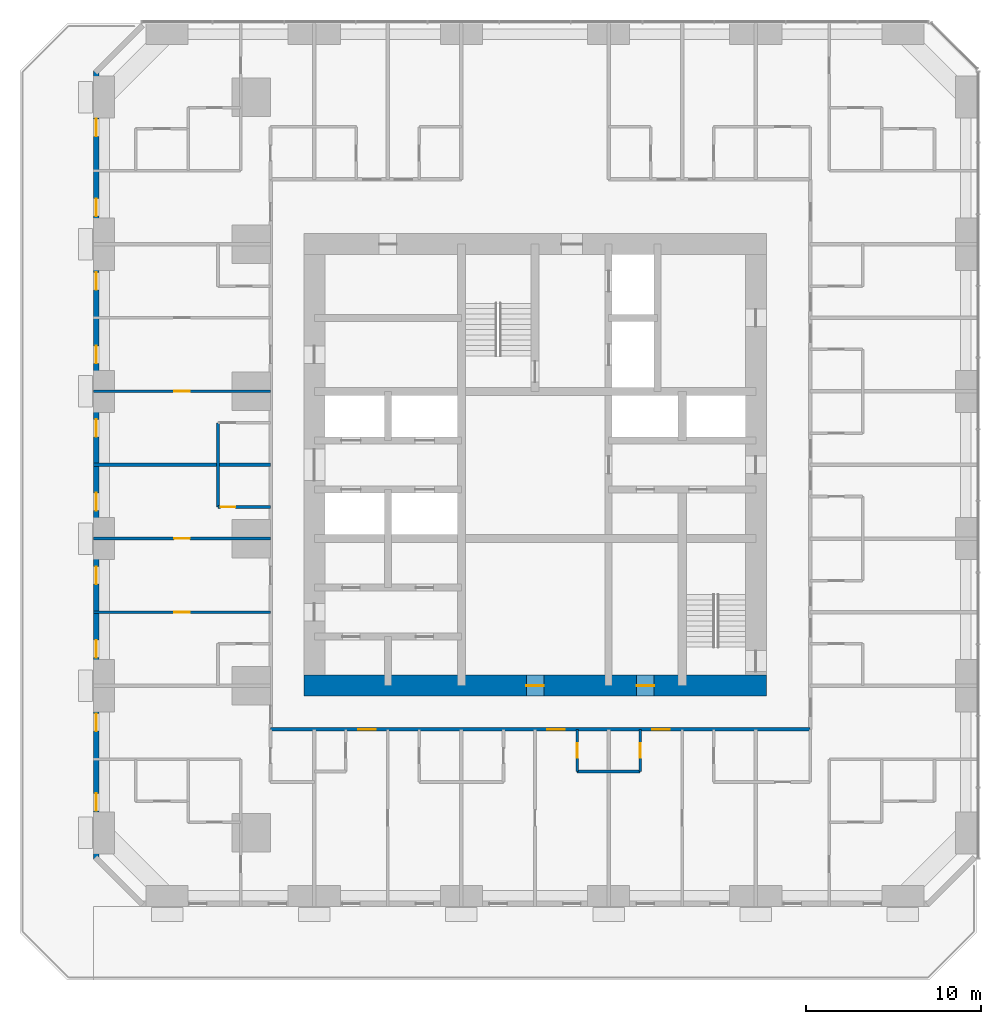
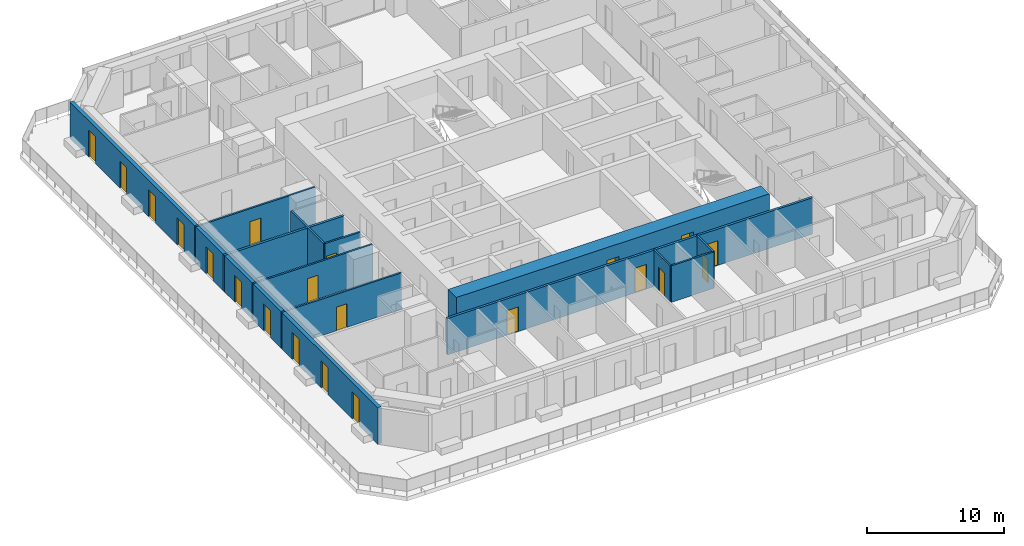
# One storey, part 7 of 14: 21 doors, 12 walls, 21 openings.
"""IFC4 building model written with IfcOpenShell, lengths in metres."""

import ifcopenshell
import ifcopenshell.guid

model = None  # the IFC model being written
_history = None  # IfcOwnerHistory: only IFC2X3 demands one
_inside = {}  # id of a spatial element -> (the spatial element, [elements in it])
_under = {}  # id of a project, library or spatial element -> (it, [spatial elements below it])
_declared = {}  # id of a project -> (the project, [libraries it declares])
_typed = {}  # id of a type object -> (the type object, [elements of that type])
_made_of = {}  # id of a material, layer set ... -> (it, [elements and type objects made of it])


def new_model(schema):
    """Start an empty IFC model of exactly this schema.

    Asked for "IFC4X3", IfcOpenShell would pick the latest addendum, in which some entities
    have other attributes; the version numbers below select the first issue.
    IFC2X3 requires an IfcOwnerHistory on every rooted entity: one is made here for all.
    """
    global model, _history
    if schema == "IFC4X3":
        model = ifcopenshell.file(schema_version=(4, 3, 0, 0))
    else:
        model = ifcopenshell.file(schema=schema)
    _inside.clear()
    _under.clear()
    _declared.clear()
    _typed.clear()
    _made_of.clear()
    _history = None
    if model.schema == "IFC2X3":
        org = make("IfcOrganization", Name="unknown")
        user = make(
            "IfcPersonAndOrganization",
            ThePerson=make("IfcPerson", FamilyName="unknown"),
            TheOrganization=org,
        )
        app = make(
            "IfcApplication",
            ApplicationDeveloper=org,
            Version="unknown",
            ApplicationFullName="unknown",
            ApplicationIdentifier="unknown",
        )
        _history = make(
            "IfcOwnerHistory",
            OwningUser=user,
            OwningApplication=app,
            ChangeAction="ADDED",
            CreationDate=0,
        )
    return model


def make(cls, **values):
    """One entity of the class cls with the attributes given. An attribute that is None is left unset."""
    return model.create_entity(
        cls, **{name: value for name, value in values.items() if value is not None}
    )


def rooted(cls, **values):
    """An entity with a GlobalId (a new one), such as an element, a storey or a relation."""
    return make(cls, GlobalId=ifcopenshell.guid.new(), OwnerHistory=_history, **values)


def si_unit(unit_type, name, prefix=None):
    """IfcSIUnit, for example si_unit("LENGTHUNIT", "METRE", prefix="MILLI")."""
    return make("IfcSIUnit", UnitType=unit_type, Prefix=prefix, Name=name)


def assignment(units):
    """IfcUnitAssignment: the units of a project."""
    return None if units is None else make("IfcUnitAssignment", Units=units)


def point(xyz):
    """IfcCartesianPoint."""
    return None if xyz is None else make("IfcCartesianPoint", Coordinates=xyz)


def direction(xyz):
    """IfcDirection."""
    return None if xyz is None else make("IfcDirection", DirectionRatios=xyz)


def frame(location, z_axis=None, x_axis=None):
    """IfcAxis2Placement3D, a coordinate frame: its origin and axes. An axis left out is left unset."""
    return make(
        "IfcAxis2Placement3D",
        Location=point(location),
        Axis=direction(z_axis),
        RefDirection=direction(x_axis),
    )


def frame_2d(location, x_axis=None):
    """IfcAxis2Placement2D, a coordinate frame in the plane: its origin and x axis."""
    return make(
        "IfcAxis2Placement2D", Location=point(location), RefDirection=direction(x_axis)
    )


def origin():
    """The frame at (0, 0, 0) with its axes left unset."""
    return frame((0.0, 0.0, 0.0))


def place(relative_to, where):
    """IfcLocalPlacement: puts the frame where relative to a parent placement (None: the world)."""
    return make(
        "IfcLocalPlacement", PlacementRelTo=relative_to, RelativePlacement=where
    )


def context(
    kind, dimensions, precision=None, world=None, true_north=None, identifier=None
):
    """IfcGeometricRepresentationContext, for example the 3D "Model" context."""
    return make(
        "IfcGeometricRepresentationContext",
        ContextIdentifier=identifier,
        ContextType=kind,
        CoordinateSpaceDimension=dimensions,
        Precision=precision,
        WorldCoordinateSystem=world,
        TrueNorth=true_north,
    )


def subcontext(parent, identifier, kind, view, scale=None):
    """IfcGeometricRepresentationSubContext, for example "Body" below "Model"."""
    return make(
        "IfcGeometricRepresentationSubContext",
        ContextIdentifier=identifier,
        ContextType=kind,
        ParentContext=parent,
        TargetScale=scale,
        TargetView=view,
    )


def project(units=None, contexts=None):
    """IfcProject with its units and contexts."""
    return rooted(
        "IfcProject",
        Name="project",
        RepresentationContexts=contexts,
        UnitsInContext=assignment(units),
    )


def spatial(cls, under=None, at=None, **own):
    """A site, building, storey or space (cls), placed at a placement, below another one or the project."""
    s = rooted(cls, ObjectPlacement=at, **own)
    if under is not None:
        _under.setdefault(under.id(), (under, []))[1].append(s)
    return s


def profile(cls, at=None, kind="AREA", **sizes):
    """A parametric profile (cls). Its sizes go by their IFC names, for example OverallWidth=200.0."""
    return make(cls, ProfileType=kind, Position=at, **sizes)


def rectangle(**sizes):
    """IfcRectangleProfileDef."""
    return profile("IfcRectangleProfileDef", **sizes)


def extrude(swept, where, along, depth):
    """IfcExtrudedAreaSolid: the profile swept, set in the frame where, extruded along a direction by depth."""
    return make(
        "IfcExtrudedAreaSolid",
        SweptArea=swept,
        Position=where,
        ExtrudedDirection=direction(along),
        Depth=depth,
    )


def shape(context_of_items, identifier, shape_type, items):
    """IfcShapeRepresentation: the items that make up one representation, for example the "Body"."""
    return make(
        "IfcShapeRepresentation",
        ContextOfItems=context_of_items,
        RepresentationIdentifier=identifier,
        RepresentationType=shape_type,
        Items=items,
    )


def material(Name=None, Category=None):
    """IfcMaterial."""
    return make("IfcMaterial", Name=Name, Category=Category)


def layer(
    of_material, thickness, ventilated=None, Name=None, Category=None, Priority=None
):
    """IfcMaterialLayer: one layer of a wall or slab, of a material (None: an air gap)."""
    return make(
        "IfcMaterialLayer",
        Material=of_material,
        LayerThickness=thickness,
        IsVentilated=ventilated,
        Name=Name,
        Category=Category,
        Priority=Priority,
    )


def layer_set(layers, Name=None):
    """IfcMaterialLayerSet."""
    return make("IfcMaterialLayerSet", MaterialLayers=layers, LayerSetName=Name)


def made_of(thing, what):
    """Note that an element or type object is made of a material, layer set ...; save() writes the relation."""
    if what is not None:
        _made_of.setdefault(what.id(), (what, []))[1].append(thing)
    return thing


def type_object(cls, material=None, **own):
    """A type object (cls), such as IfcWallType, which elements share."""
    return made_of(rooted(cls, **own), material)


def element(
    cls,
    number,
    at=None,
    inside=None,
    cuts=None,
    type_object=None,
    material=None,
    context=None,
    identifier="Body",
    shape_type=None,
    held_by="IfcProductDefinitionShape",
    body=None,
    shapes=None,
    **own,
):
    """One element of the class cls, such as IfcWall. Its Tag is "e" and its number.

    at: its placement. inside: the storey or other place that contains it. cuts: it is an
    opening in that element (IfcRelVoidsElement). A single representation is given by context,
    identifier, shape_type and body (its items); several are given by shapes. held_by: the class
    of the entity that holds the representations. save() writes the other relations.
    """
    e = rooted(cls, Tag="e%d" % number, ObjectPlacement=at, **own)
    if body is not None:
        shapes = [shape(context, identifier, shape_type, body)]
    if shapes is not None:
        e.Representation = make(held_by, Representations=shapes)
    if inside is not None:
        _inside.setdefault(inside.id(), (inside, []))[1].append(e)
    if cuts is not None:
        rooted(
            "IfcRelVoidsElement", RelatingBuildingElement=cuts, RelatedOpeningElement=e
        )
    if type_object is not None:
        _typed.setdefault(type_object.id(), (type_object, []))[1].append(e)
    return made_of(e, material)


def fill(opening, filler):
    """IfcRelFillsElement: the door or window that sits in an opening."""
    return rooted(
        "IfcRelFillsElement",
        RelatingOpeningElement=opening,
        RelatedBuildingElement=filler,
    )


def aggregate(whole, parts):
    """IfcRelAggregates: a whole, such as a stair, and the parts it consists of."""
    return rooted("IfcRelAggregates", RelatingObject=whole, RelatedObjects=parts)


def save(model, path):
    """Write the relations noted so far, then the file.

    IfcRelAggregates (storeys below a building ...), IfcRelContainedInSpatialStructure (elements
    in a storey), IfcRelDefinesByType, IfcRelAssociatesMaterial and IfcRelDeclares: one each for
    every whole, place, type object, material and project.
    """
    for whole, parts in _under.values():
        aggregate(whole, parts)
    for where, things in _inside.values():
        rooted(
            "IfcRelContainedInSpatialStructure",
            RelatedElements=things,
            RelatingStructure=where,
        )
    for kind, things in _typed.values():
        rooted("IfcRelDefinesByType", RelatedObjects=things, RelatingType=kind)
    for what, things in _made_of.values():
        rooted("IfcRelAssociatesMaterial", RelatedObjects=things, RelatingMaterial=what)
    for by, libraries in _declared.values():
        rooted("IfcRelDeclares", RelatingContext=by, RelatedDefinitions=libraries)
    model.write(path)


model = new_model("IFC4")

# Units and contexts
model_context = context("Model", 3, precision=1e-05, world=origin(), true_north=direction((0.0, 1.0)))
body_context = subcontext(model_context, "Body", "Model", "MODEL_VIEW")
ifc_project = project(units=[si_unit("LENGTHUNIT", "METRE"), si_unit("AREAUNIT", "SQUARE_METRE"), si_unit("VOLUMEUNIT", "CUBIC_METRE"), si_unit("PLANEANGLEUNIT", "RADIAN"), si_unit("MASSUNIT", "GRAM", prefix="KILO")], contexts=[model_context])

# Site, building, storey
site_placement = place(None, origin())
site = spatial("IfcSite", under=ifc_project, at=site_placement, CompositionType="ELEMENT")
building_placement = place(site_placement, origin())
building = spatial("IfcBuilding", under=site, at=building_placement, Name="Dunama Terrace Hotel", CompositionType="ELEMENT")
storey_placement = place(building_placement, frame((0.0, 0.0, 159.0)))
storey = spatial("IfcBuildingStorey", under=building, at=storey_placement, Name="L40", CompositionType="ELEMENT", Elevation=159.0)

# Wall
ifc_material_1 = material(Name="Gypsum board partition", Category="masonry")
ifc_layer_1 = layer(ifc_material_1, 0.14990234375)
ifc_layer_set_1 = layer_set([ifc_layer_1], Name="Bathroom partition 150")
wall_type_1 = type_object("IfcWallType", Name="Bathroom partition 150", PredefinedType="PARTITIONING", material=ifc_layer_set_1)
wall_1_placement = place(storey_placement, frame((11.300048828125, 27.0, 0.0), z_axis=(0.0, 0.0, 1.0), x_axis=(0.0, 1.0, 0.0)))
element("IfcWall", 1, at=wall_1_placement, inside=storey, type_object=wall_type_1, Name="Bathroom partition 150 L40", PredefinedType="PARTITIONING", context=body_context, shape_type="SweptSolid", body=[
    extrude(rectangle(XDim=4.800048828125, YDim=0.14990234375, at=frame_2d((2.39990234375, 0.0))), origin(), (0.0, 0.0, 1.0), 3.25),
])

# Wall, opening, door
wall_2_placement = place(storey_placement, frame((31.800048828125, 11.89990234375, 0.0), z_axis=(0.0, 0.0, 1.0), x_axis=(0.0, 1.0, 0.0)))
wall_2 = element("IfcWall", 2, at=wall_2_placement, inside=storey, type_object=wall_type_1, Name="Bathroom partition 150 L40", PredefinedType="PARTITIONING", context=body_context, shape_type="SweptSolid", body=[
    extrude(rectangle(XDim=2.400146484375, YDim=0.14990234375, at=frame_2d((1.2001953125, 0.0))), origin(), (0.0, 0.0, 1.0), 3.25),
])
opening_1_placement = place(wall_2_placement, frame((0.77490234375, 0.0, 0.0)))
opening_1 = element("IfcOpeningElement", 3, at=opening_1_placement, cuts=wall_2, Name="Opening L40-034", PredefinedType="OPENING", context=body_context, shape_type="SweptSolid", body=[
    extrude(rectangle(XDim=0.85009765625, YDim=2.10009765625, at=frame_2d((0.425048828125, 1.050048828125))), frame((0.0, 0.0849609375, 0.0), z_axis=(0.0, -1.0, 0.0), x_axis=(1.0, 0.0, 0.0)), (0.0, 0.0, 1.0), 0.169921875),
])
ifc_material_2 = material(Name="Timber door with steel frame", Category="steel")
door_type_1 = type_object("IfcDoorType", Name="Bathroom door 850", OperationType="SINGLE_SWING_LEFT", PredefinedType="DOOR", material=ifc_material_2)
door_1_placement = place(opening_1_placement, frame((0.85009765625, 0.0, 0.0), z_axis=(0.0, 0.0, 1.0), x_axis=(-1.0, 0.0, 0.0)))
door_1 = element("IfcDoor", 4, at=door_1_placement, inside=storey, type_object=door_type_1, Name="Door to powder room L40-034, type D2", OperationType="SINGLE_SWING_LEFT", OverallHeight=2.10009765625, OverallWidth=0.85009765625, PredefinedType="DOOR", context=body_context, shape_type="SweptSolid", body=[
    extrude(rectangle(XDim=0.85009765625, YDim=2.10009765625, at=frame_2d((0.425048828125, 1.050048828125))), frame((0.0, 0.025146484375, 0.0), z_axis=(0.0, -1.0, 0.0), x_axis=(1.0, 0.0, 0.0)), (0.0, 0.0, 1.0), 0.050048828125),
])
fill(opening_1, door_1)

wall_3_placement = place(storey_placement, frame((35.39990234375, 11.89990234375, 0.0), z_axis=(0.0, 0.0, 1.0), x_axis=(0.0, 1.0, 0.0)))
wall_3 = element("IfcWall", 5, at=wall_3_placement, inside=storey, type_object=wall_type_1, Name="Bathroom partition 150 L40", PredefinedType="PARTITIONING", context=body_context, shape_type="SweptSolid", body=[
    extrude(rectangle(XDim=2.400146484375, YDim=0.14990234375, at=frame_2d((1.2001953125, 0.0))), origin(), (0.0, 0.0, 1.0), 3.25),
])
opening_2_placement = place(wall_3_placement, frame((0.77490234375, 0.0, 0.0)))
opening_2 = element("IfcOpeningElement", 6, at=opening_2_placement, cuts=wall_3, Name="Opening L40-038", PredefinedType="OPENING", context=body_context, shape_type="SweptSolid", body=[
    extrude(rectangle(XDim=0.85009765625, YDim=2.10009765625, at=frame_2d((0.425048828125, 1.050048828125))), frame((0.0, 0.0849609375, 0.0), z_axis=(0.0, -1.0, 0.0), x_axis=(1.0, 0.0, 0.0)), (0.0, 0.0, 1.0), 0.169921875),
])
door_2_placement = place(opening_2_placement, origin())
door_2 = element("IfcDoor", 7, at=door_2_placement, inside=storey, type_object=door_type_1, Name="Door to powder room L40-038, type D2", OperationType="SINGLE_SWING_RIGHT", OverallHeight=2.10009765625, OverallWidth=0.85009765625, PredefinedType="DOOR", context=body_context, shape_type="SweptSolid", body=[
    extrude(rectangle(XDim=0.85009765625, YDim=2.10009765625, at=frame_2d((0.425048828125, 1.050048828125))), frame((0.0, 0.02490234375, 0.0), z_axis=(0.0, -1.0, 0.0), x_axis=(1.0, 0.0, 0.0)), (0.0, 0.0, 1.0), 0.050048828125),
])
fill(opening_2, door_2)

# Wall
wall_4_placement = place(storey_placement, frame((31.800048828125, 11.89990234375, 0.0), z_axis=(0.0, 0.0, 1.0), x_axis=(1.0, 0.0, 0.0)))
element("IfcWall", 8, at=wall_4_placement, inside=storey, type_object=wall_type_1, Name="Bathroom partition 150 L40", PredefinedType="PARTITIONING", context=body_context, shape_type="SweptSolid", body=[
    extrude(rectangle(XDim=3.599853515625, YDim=0.14990234375, at=frame_2d((1.7998046875, 0.0))), origin(), (0.0, 0.0, 1.0), 3.25),
])

# Wall, opening, door
wall_5_placement = place(storey_placement, frame((11.300048828125, 27.0, 0.0), z_axis=(0.0, 0.0, 1.0), x_axis=(1.0, 0.0, 0.0)))
wall_5 = element("IfcWall", 9, at=wall_5_placement, inside=storey, type_object=wall_type_1, Name="Bathroom partition 150 L40", PredefinedType="PARTITIONING", context=body_context, shape_type="SweptSolid", body=[
    extrude(rectangle(XDim=3.0, YDim=0.14990234375, at=frame_2d((1.5, 0.0))), origin(), (0.0, 0.0, 1.0), 3.25),
])
opening_3_placement = place(wall_5_placement, frame((0.14990234375, 0.0, 0.0)))
opening_3 = element("IfcOpeningElement", 10, at=opening_3_placement, cuts=wall_5, Name="Opening L40-065", PredefinedType="OPENING", context=body_context, shape_type="SweptSolid", body=[
    extrude(rectangle(XDim=0.85009765625, YDim=2.10009765625, at=frame_2d((0.425048828125, 1.050048828125))), frame((0.0, 0.0849609375, 0.0), z_axis=(0.0, -1.0, 0.0), x_axis=(1.0, 0.0, 0.0)), (0.0, 0.0, 1.0), 0.169921875),
])
door_3_placement = place(opening_3_placement, origin())
door_3 = element("IfcDoor", 11, at=door_3_placement, inside=storey, type_object=door_type_1, Name="Door to en-suite bathroom L40-065, type D2", OperationType="SINGLE_SWING_LEFT", OverallHeight=2.10009765625, OverallWidth=0.85009765625, PredefinedType="DOOR", context=body_context, shape_type="SweptSolid", body=[
    extrude(rectangle(XDim=0.85009765625, YDim=2.10009765625, at=frame_2d((0.425048828125, 1.050048828125))), frame((0.0, 0.02490234375, 0.0), z_axis=(0.0, -1.0, 0.0), x_axis=(1.0, 0.0, 0.0)), (0.0, 0.0, 1.0), 0.050048828125),
])
fill(opening_3, door_3)

# Wall, openings, doors
ifc_material_3 = material(Name="Concrete C60/75", Category="concrete")
ifc_layer_2 = layer(ifc_material_3, 1.199951171875)
ifc_layer_set_2 = layer_set([ifc_layer_2], Name="Core wall 1200")
wall_type_2 = type_object("IfcWallType", Name="Core wall 1200", PredefinedType="SHEAR", material=ifc_layer_set_2)
wall_6_placement = place(storey_placement, frame((16.199951171875, 16.800048828125, -0.35009765625), z_axis=(0.0, 0.0, 1.0), x_axis=(1.0, 0.0, 0.0)))
wall_6 = element("IfcWall", 12, at=wall_6_placement, inside=storey, type_object=wall_type_2, Name="Core wall south L40", PredefinedType="SHEAR", context=body_context, shape_type="SweptSolid", body=[
    extrude(rectangle(XDim=26.400146484375, YDim=1.199951171875, at=frame_2d((13.2001953125, 0.0))), origin(), (0.0, 0.0, 1.0), 3.60009765625),
])
opening_4_placement = place(wall_6_placement, frame((12.699951171875, 0.0, 0.35009765625)))
opening_4 = element("IfcOpeningElement", 13, at=opening_4_placement, cuts=wall_6, Name="Opening L40-105", PredefinedType="OPENING", context=body_context, shape_type="SweptSolid", body=[
    extrude(rectangle(XDim=1.0, YDim=2.10009765625, at=frame_2d((0.5, 1.050048828125))), frame((0.0, 0.60986328125, 0.0), z_axis=(0.0, -1.0, 0.0), x_axis=(1.0, 0.0, 0.0)), (0.0, 0.0, 1.0), 1.219970703125),
])
opening_5_placement = place(wall_6_placement, frame((19.0, 0.0, 0.35009765625)))
opening_5 = element("IfcOpeningElement", 14, at=opening_5_placement, cuts=wall_6, Name="Opening L40-106", PredefinedType="OPENING", context=body_context, shape_type="SweptSolid", body=[
    extrude(rectangle(XDim=1.0, YDim=2.10009765625, at=frame_2d((0.5, 1.050048828125))), frame((0.0, 0.60986328125, 0.0), z_axis=(0.0, -1.0, 0.0), x_axis=(1.0, 0.0, 0.0)), (0.0, 0.0, 1.0), 1.219970703125),
])
ifc_material_4 = material(Name="Timber door with steel frame", Category="steel")
door_type_2 = type_object("IfcDoorType", Name="Service door 1000", OperationType="SINGLE_SWING_LEFT", PredefinedType="DOOR", material=ifc_material_4)
door_4_placement = place(opening_4_placement, origin())
door_4 = element("IfcDoor", 15, at=door_4_placement, inside=storey, type_object=door_type_2, Name="Door to corridor air handling room L40-105, type D7", OperationType="SINGLE_SWING_LEFT", OverallHeight=2.10009765625, OverallWidth=1.0, PredefinedType="DOOR", context=body_context, shape_type="SweptSolid", body=[
    extrude(rectangle(XDim=1.0, YDim=2.10009765625, at=frame_2d((0.5, 1.050048828125))), frame((0.0, 0.02490234375, 0.0), z_axis=(0.0, -1.0, 0.0), x_axis=(1.0, 0.0, 0.0)), (0.0, 0.0, 1.0), 0.050048828125),
])
fill(opening_4, door_4)
door_5_placement = place(opening_5_placement, origin())
door_5 = element("IfcDoor", 16, at=door_5_placement, inside=storey, type_object=door_type_2, Name="Door to water riser room L40-106, type D7", OperationType="SINGLE_SWING_RIGHT", OverallHeight=2.10009765625, OverallWidth=1.0, PredefinedType="DOOR", context=body_context, shape_type="SweptSolid", body=[
    extrude(rectangle(XDim=1.0, YDim=2.10009765625, at=frame_2d((0.5, 1.050048828125))), frame((0.0, 0.02490234375, 0.0), z_axis=(0.0, -1.0, 0.0), x_axis=(1.0, 0.0, 0.0)), (0.0, 0.0, 1.0), 0.050048828125),
])
fill(opening_5, door_5)

ifc_material_5 = material(Name="Concrete blockwork", Category="masonry")
ifc_layer_3 = layer(ifc_material_5, 0.199951171875)
ifc_layer_set_3 = layer_set([ifc_layer_3], Name="Corridor partition 200")
wall_type_3 = type_object("IfcWallType", Name="Corridor partition 200", PredefinedType="PARTITIONING", material=ifc_layer_set_3)
wall_7_placement = place(storey_placement, frame((45.10009765625, 14.300048828125, 0.0), z_axis=(0.0, 0.0, 1.0), x_axis=(-1.0, 0.0, 0.0)))
wall_7 = element("IfcWall", 17, at=wall_7_placement, inside=storey, type_object=wall_type_3, Name="Corridor partition 200 L40", PredefinedType="PARTITIONING", context=body_context, shape_type="SweptSolid", body=[
    extrude(rectangle(XDim=30.800048828125, YDim=0.199951171875, at=frame_2d((15.39990234375, 0.0))), origin(), (0.0, 0.0, 1.0), 3.25),
])
opening_6_placement = place(wall_7_placement, frame((24.800048828125, 0.0, 0.0)))
opening_6 = element("IfcOpeningElement", 18, at=opening_6_placement, cuts=wall_7, Name="Opening L40-029", PredefinedType="OPENING", context=body_context, shape_type="SweptSolid", body=[
    extrude(rectangle(XDim=1.0, YDim=2.199951171875, at=frame_2d((0.5, 1.10009765625))), frame((0.0, 0.10986328125, 0.0), z_axis=(0.0, -1.0, 0.0), x_axis=(1.0, 0.0, 0.0)), (0.0, 0.0, 1.0), 0.219970703125),
])
opening_7_placement = place(wall_7_placement, frame((14.0, 0.0, 0.0)))
opening_7 = element("IfcOpeningElement", 19, at=opening_7_placement, cuts=wall_7, Name="Opening L40-033", PredefinedType="OPENING", context=body_context, shape_type="SweptSolid", body=[
    extrude(rectangle(XDim=1.0, YDim=2.199951171875, at=frame_2d((0.5, 1.10009765625))), frame((0.0, 0.10986328125, 0.0), z_axis=(0.0, -1.0, 0.0), x_axis=(1.0, 0.0, 0.0)), (0.0, 0.0, 1.0), 0.219970703125),
])
opening_8_placement = place(wall_7_placement, frame((8.0, 0.0, 0.0)))
opening_8 = element("IfcOpeningElement", 20, at=opening_8_placement, cuts=wall_7, Name="Opening L40-037", PredefinedType="OPENING", context=body_context, shape_type="SweptSolid", body=[
    extrude(rectangle(XDim=1.0, YDim=2.199951171875, at=frame_2d((0.5, 1.10009765625))), frame((0.0, 0.10986328125, 0.0), z_axis=(0.0, -1.0, 0.0), x_axis=(1.0, 0.0, 0.0)), (0.0, 0.0, 1.0), 0.219970703125),
])
ifc_material_6 = material(Name="Timber door with steel frame", Category="steel")
door_type_3 = type_object("IfcDoorType", Name="Guest room door 1000", OperationType="SINGLE_SWING_LEFT", PredefinedType="DOOR", material=ifc_material_6)
door_6_placement = place(opening_6_placement, origin())
door_6 = element("IfcDoor", 21, at=door_6_placement, inside=storey, type_object=door_type_3, Name="Door to executive club suite living room L40-029, type D1", OperationType="SINGLE_SWING_LEFT", OverallHeight=2.199951171875, OverallWidth=1.0, PredefinedType="DOOR", context=body_context, shape_type="SweptSolid", body=[
    extrude(rectangle(XDim=1.0, YDim=2.199951171875, at=frame_2d((0.5, 1.10009765625))), frame((0.0, 0.02490234375, 0.0), z_axis=(0.0, -1.0, 0.0), x_axis=(1.0, 0.0, 0.0)), (0.0, 0.0, 1.0), 0.050048828125),
])
fill(opening_6, door_6)
door_7_placement = place(opening_7_placement, origin())
door_7 = element("IfcDoor", 22, at=door_7_placement, inside=storey, type_object=door_type_3, Name="Door to executive club suite living room L40-033, type D1", OperationType="SINGLE_SWING_LEFT", OverallHeight=2.199951171875, OverallWidth=1.0, PredefinedType="DOOR", context=body_context, shape_type="SweptSolid", body=[
    extrude(rectangle(XDim=1.0, YDim=2.199951171875, at=frame_2d((0.5, 1.10009765625))), frame((0.0, 0.02490234375, 0.0), z_axis=(0.0, -1.0, 0.0), x_axis=(1.0, 0.0, 0.0)), (0.0, 0.0, 1.0), 0.050048828125),
])
fill(opening_7, door_7)
door_8_placement = place(opening_8_placement, origin())
door_8 = element("IfcDoor", 23, at=door_8_placement, inside=storey, type_object=door_type_3, Name="Door to executive club suite living room L40-037, type D1", OperationType="SINGLE_SWING_LEFT", OverallHeight=2.199951171875, OverallWidth=1.0, PredefinedType="DOOR", context=body_context, shape_type="SweptSolid", body=[
    extrude(rectangle(XDim=1.0, YDim=2.199951171875, at=frame_2d((0.5, 1.10009765625))), frame((0.0, 0.02490234375, 0.0), z_axis=(0.0, -1.0, 0.0), x_axis=(1.0, 0.0, 0.0)), (0.0, 0.0, 1.0), 0.050048828125),
])
fill(opening_8, door_8)

# Wall
ifc_material_7 = material(Name="Concrete blockwork", Category="masonry")
ifc_layer_4 = layer(ifc_material_7, 0.199951171875)
ifc_layer_set_4 = layer_set([ifc_layer_4], Name="Party wall 200")
wall_type_4 = type_object("IfcWallType", Name="Party wall 200", PredefinedType="PARTITIONING", material=ifc_layer_set_4)
wall_8_placement = place(storey_placement, frame((4.199951171875, 29.39990234375, 0.0), z_axis=(0.0, 0.0, 1.0), x_axis=(1.0, 0.0, 0.0)))
element("IfcWall", 24, at=wall_8_placement, inside=storey, type_object=wall_type_4, Name="Party wall 200 L40", PredefinedType="PARTITIONING", context=body_context, shape_type="SweptSolid", body=[
    extrude(rectangle(XDim=10.10009765625, YDim=0.199951171875, at=frame_2d((5.050048828125, 0.0))), origin(), (0.0, 0.0, 1.0), 3.25),
])

# Wall, opening, door
ifc_material_8 = material(Name="Gypsum board partition", Category="masonry")
ifc_layer_5 = layer(ifc_material_8, 0.14990234375)
ifc_layer_set_5 = layer_set([ifc_layer_5], Name="Room partition 150")
wall_type_5 = type_object("IfcWallType", Name="Room partition 150", PredefinedType="PARTITIONING", material=ifc_layer_set_5)
wall_9_placement = place(storey_placement, frame((4.199951171875, 21.0, 0.0), z_axis=(0.0, 0.0, 1.0), x_axis=(1.0, 0.0, 0.0)))
wall_9 = element("IfcWall", 25, at=wall_9_placement, inside=storey, type_object=wall_type_5, Name="Room partition 150 L40", PredefinedType="PARTITIONING", context=body_context, shape_type="SweptSolid", body=[
    extrude(rectangle(XDim=10.10009765625, YDim=0.14990234375, at=frame_2d((5.050048828125, 0.0))), origin(), (0.0, 0.0, 1.0), 3.25),
])
opening_9_placement = place(wall_9_placement, frame((4.60009765625, 0.0, 0.0)))
opening_9 = element("IfcOpeningElement", 26, at=opening_9_placement, cuts=wall_9, Name="Opening L40-062", PredefinedType="OPENING", context=body_context, shape_type="SweptSolid", body=[
    extrude(rectangle(XDim=0.89990234375, YDim=2.10009765625, at=frame_2d((0.449951171875, 1.050048828125))), frame((0.0, 0.0849609375, 0.0), z_axis=(0.0, -1.0, 0.0), x_axis=(1.0, 0.0, 0.0)), (0.0, 0.0, 1.0), 0.169921875),
])
ifc_material_9 = material(Name="Timber door with steel frame", Category="steel")
door_type_4 = type_object("IfcDoorType", Name="Suite internal door 900", OperationType="SINGLE_SWING_LEFT", PredefinedType="DOOR", material=ifc_material_9)
door_9_placement = place(opening_9_placement, frame((0.89990234375, 0.0, 0.0), z_axis=(0.0, 0.0, 1.0), x_axis=(-1.0, 0.0, 0.0)))
door_9 = element("IfcDoor", 27, at=door_9_placement, inside=storey, type_object=door_type_4, Name="Door to family club suite bedroom L40-062, type D16", OperationType="SINGLE_SWING_LEFT", OverallHeight=2.10009765625, OverallWidth=0.89990234375, PredefinedType="DOOR", context=body_context, shape_type="SweptSolid", body=[
    extrude(rectangle(XDim=0.89990234375, YDim=2.10009765625, at=frame_2d((0.449951171875, 1.050048828125))), frame((0.0, 0.025146484375, 0.0), z_axis=(0.0, -1.0, 0.0), x_axis=(1.0, 0.0, 0.0)), (0.0, 0.0, 1.0), 0.050048828125),
])
fill(opening_9, door_9)

wall_10_placement = place(storey_placement, frame((4.199951171875, 25.199951171875, 0.0), z_axis=(0.0, 0.0, 1.0), x_axis=(1.0, 0.0, 0.0)))
wall_10 = element("IfcWall", 28, at=wall_10_placement, inside=storey, type_object=wall_type_5, Name="Room partition 150 L40", PredefinedType="PARTITIONING", context=body_context, shape_type="SweptSolid", body=[
    extrude(rectangle(XDim=10.10009765625, YDim=0.14990234375, at=frame_2d((5.050048828125, 0.0))), origin(), (0.0, 0.0, 1.0), 3.25),
])
opening_10_placement = place(wall_10_placement, frame((4.60009765625, 0.0, 0.0)))
opening_10 = element("IfcOpeningElement", 29, at=opening_10_placement, cuts=wall_10, Name="Opening L40-064", PredefinedType="OPENING", context=body_context, shape_type="SweptSolid", body=[
    extrude(rectangle(XDim=0.89990234375, YDim=2.10009765625, at=frame_2d((0.449951171875, 1.050048828125))), frame((0.0, 0.0849609375, 0.0), z_axis=(0.0, -1.0, 0.0), x_axis=(1.0, 0.0, 0.0)), (0.0, 0.0, 1.0), 0.169921875),
])
door_10_placement = place(opening_10_placement, origin())
door_10 = element("IfcDoor", 30, at=door_10_placement, inside=storey, type_object=door_type_4, Name="Door to family club suite second bedroom L40-064, type D16", OperationType="SINGLE_SWING_RIGHT", OverallHeight=2.10009765625, OverallWidth=0.89990234375, PredefinedType="DOOR", context=body_context, shape_type="SweptSolid", body=[
    extrude(rectangle(XDim=0.89990234375, YDim=2.10009765625, at=frame_2d((0.449951171875, 1.050048828125))), frame((0.0, 0.02490234375, 0.0), z_axis=(0.0, -1.0, 0.0), x_axis=(1.0, 0.0, 0.0)), (0.0, 0.0, 1.0), 0.050048828125),
])
fill(opening_10, door_10)

wall_11_placement = place(storey_placement, frame((4.199951171875, 33.60009765625, 0.0), z_axis=(0.0, 0.0, 1.0), x_axis=(1.0, 0.0, 0.0)))
wall_11 = element("IfcWall", 31, at=wall_11_placement, inside=storey, type_object=wall_type_5, Name="Room partition 150 L40", PredefinedType="PARTITIONING", context=body_context, shape_type="SweptSolid", body=[
    extrude(rectangle(XDim=10.10009765625, YDim=0.14990234375, at=frame_2d((5.050048828125, 0.0))), origin(), (0.0, 0.0, 1.0), 3.25),
])
opening_11_placement = place(wall_11_placement, frame((4.60009765625, 0.0, 0.0)))
opening_11 = element("IfcOpeningElement", 32, at=opening_11_placement, cuts=wall_11, Name="Opening L40-069", PredefinedType="OPENING", context=body_context, shape_type="SweptSolid", body=[
    extrude(rectangle(XDim=0.89990234375, YDim=2.10009765625, at=frame_2d((0.449951171875, 1.050048828125))), frame((0.0, 0.0849609375, 0.0), z_axis=(0.0, -1.0, 0.0), x_axis=(1.0, 0.0, 0.0)), (0.0, 0.0, 1.0), 0.169921875),
])
door_11_placement = place(opening_11_placement, frame((0.89990234375, 0.0, 0.0), z_axis=(0.0, 0.0, 1.0), x_axis=(-1.0, 0.0, 0.0)))
door_11 = element("IfcDoor", 33, at=door_11_placement, inside=storey, type_object=door_type_4, Name="Door to family club suite second bedroom L40-069, type D16", OperationType="SINGLE_SWING_LEFT", OverallHeight=2.10009765625, OverallWidth=0.89990234375, PredefinedType="DOOR", context=body_context, shape_type="SweptSolid", body=[
    extrude(rectangle(XDim=0.89990234375, YDim=2.10009765625, at=frame_2d((0.449951171875, 1.050048828125))), frame((0.0, 0.025146484375, 0.0), z_axis=(0.0, -1.0, 0.0), x_axis=(1.0, 0.0, 0.0)), (0.0, 0.0, 1.0), 0.050048828125),
])
fill(opening_11, door_11)

# Wall, openings, doors
ifc_material_10 = material(Name="Granite-faced concrete blockwork", Category="masonry")
ifc_layer_6 = layer(ifc_material_10, 0.300048828125)
ifc_layer_set_6 = layer_set([ifc_layer_6], Name="Terrace wall 300")
wall_type_6 = type_object("IfcWallType", Name="Terrace wall 300", PredefinedType="SOLIDWALL", material=ifc_layer_set_6)
wall_12_placement = place(storey_placement, frame((4.35009765625, 51.89990234375, 0.0), z_axis=(0.0, 0.0, 1.0), x_axis=(0.0, -1.0, 0.0)))
wall_12 = element("IfcWall", 34, at=wall_12_placement, inside=storey, type_object=wall_type_6, Name="Terrace wall 300 L40", PredefinedType="SOLIDWALL", context=body_context, shape_type="SweptSolid", body=[
    extrude(rectangle(XDim=45.0, YDim=0.300048828125, at=frame_2d((22.5, 0.0))), origin(), (0.0, 0.0, 1.0), 3.25),
])
opening_12_placement = place(wall_12_placement, frame((41.25, 0.0, 0.0)))
opening_12 = element("IfcOpeningElement", 35, at=opening_12_placement, cuts=wall_12, Name="Opening L40-011", PredefinedType="OPENING", context=body_context, shape_type="SweptSolid", body=[
    extrude(rectangle(XDim=1.0, YDim=2.39990234375, at=frame_2d((0.5, 1.199951171875))), frame((0.0, 0.159912109375, 0.0), z_axis=(0.0, -1.0, 0.0), x_axis=(1.0, 0.0, 0.0)), (0.0, 0.0, 1.0), 0.320068359375),
])
opening_13_placement = place(wall_12_placement, frame((36.699951171875, 0.0, 0.0)))
opening_13 = element("IfcOpeningElement", 36, at=opening_13_placement, cuts=wall_12, Name="Opening L40-012", PredefinedType="OPENING", context=body_context, shape_type="SweptSolid", body=[
    extrude(rectangle(XDim=1.0, YDim=2.39990234375, at=frame_2d((0.5, 1.199951171875))), frame((0.0, 0.159912109375, 0.0), z_axis=(0.0, -1.0, 0.0), x_axis=(1.0, 0.0, 0.0)), (0.0, 0.0, 1.0), 0.320068359375),
])
opening_14_placement = place(wall_12_placement, frame((32.5, 0.0, 0.0)))
opening_14 = element("IfcOpeningElement", 37, at=opening_14_placement, cuts=wall_12, Name="Opening L40-013", PredefinedType="OPENING", context=body_context, shape_type="SweptSolid", body=[
    extrude(rectangle(XDim=1.0, YDim=2.39990234375, at=frame_2d((0.5, 1.199951171875))), frame((0.0, 0.159912109375, 0.0), z_axis=(0.0, -1.0, 0.0), x_axis=(1.0, 0.0, 0.0)), (0.0, 0.0, 1.0), 0.320068359375),
])
opening_15_placement = place(wall_12_placement, frame((28.300048828125, 0.0, 0.0)))
opening_15 = element("IfcOpeningElement", 38, at=opening_15_placement, cuts=wall_12, Name="Opening L40-014", PredefinedType="OPENING", context=body_context, shape_type="SweptSolid", body=[
    extrude(rectangle(XDim=1.0, YDim=2.39990234375, at=frame_2d((0.5, 1.199951171875))), frame((0.0, 0.159912109375, 0.0), z_axis=(0.0, -1.0, 0.0), x_axis=(1.0, 0.0, 0.0)), (0.0, 0.0, 1.0), 0.320068359375),
])
opening_16_placement = place(wall_12_placement, frame((24.10009765625, 0.0, 0.0)))
opening_16 = element("IfcOpeningElement", 39, at=opening_16_placement, cuts=wall_12, Name="Opening L40-015", PredefinedType="OPENING", context=body_context, shape_type="SweptSolid", body=[
    extrude(rectangle(XDim=1.0, YDim=2.39990234375, at=frame_2d((0.5, 1.199951171875))), frame((0.0, 0.159912109375, 0.0), z_axis=(0.0, -1.0, 0.0), x_axis=(1.0, 0.0, 0.0)), (0.0, 0.0, 1.0), 0.320068359375),
])
opening_17_placement = place(wall_12_placement, frame((19.89990234375, 0.0, 0.0)))
opening_17 = element("IfcOpeningElement", 40, at=opening_17_placement, cuts=wall_12, Name="Opening L40-016", PredefinedType="OPENING", context=body_context, shape_type="SweptSolid", body=[
    extrude(rectangle(XDim=1.0, YDim=2.39990234375, at=frame_2d((0.5, 1.199951171875))), frame((0.0, 0.159912109375, 0.0), z_axis=(0.0, -1.0, 0.0), x_axis=(1.0, 0.0, 0.0)), (0.0, 0.0, 1.0), 0.320068359375),
])
opening_18_placement = place(wall_12_placement, frame((15.699951171875, 0.0, 0.0)))
opening_18 = element("IfcOpeningElement", 41, at=opening_18_placement, cuts=wall_12, Name="Opening L40-017", PredefinedType="OPENING", context=body_context, shape_type="SweptSolid", body=[
    extrude(rectangle(XDim=1.0, YDim=2.39990234375, at=frame_2d((0.5, 1.199951171875))), frame((0.0, 0.159912109375, 0.0), z_axis=(0.0, -1.0, 0.0), x_axis=(1.0, 0.0, 0.0)), (0.0, 0.0, 1.0), 0.320068359375),
])
opening_19_placement = place(wall_12_placement, frame((11.5, 0.0, 0.0)))
opening_19 = element("IfcOpeningElement", 42, at=opening_19_placement, cuts=wall_12, Name="Opening L40-018", PredefinedType="OPENING", context=body_context, shape_type="SweptSolid", body=[
    extrude(rectangle(XDim=1.0, YDim=2.39990234375, at=frame_2d((0.5, 1.199951171875))), frame((0.0, 0.159912109375, 0.0), z_axis=(0.0, -1.0, 0.0), x_axis=(1.0, 0.0, 0.0)), (0.0, 0.0, 1.0), 0.320068359375),
])
opening_20_placement = place(wall_12_placement, frame((7.300048828125, 0.0, 0.0)))
opening_20 = element("IfcOpeningElement", 43, at=opening_20_placement, cuts=wall_12, Name="Opening L40-019", PredefinedType="OPENING", context=body_context, shape_type="SweptSolid", body=[
    extrude(rectangle(XDim=1.0, YDim=2.39990234375, at=frame_2d((0.5, 1.199951171875))), frame((0.0, 0.159912109375, 0.0), z_axis=(0.0, -1.0, 0.0), x_axis=(1.0, 0.0, 0.0)), (0.0, 0.0, 1.0), 0.320068359375),
])
opening_21_placement = place(wall_12_placement, frame((2.75, 0.0, 0.0)))
opening_21 = element("IfcOpeningElement", 44, at=opening_21_placement, cuts=wall_12, Name="Opening L40-020", PredefinedType="OPENING", context=body_context, shape_type="SweptSolid", body=[
    extrude(rectangle(XDim=1.0, YDim=2.39990234375, at=frame_2d((0.5, 1.199951171875))), frame((0.0, 0.159912109375, 0.0), z_axis=(0.0, -1.0, 0.0), x_axis=(1.0, 0.0, 0.0)), (0.0, 0.0, 1.0), 0.320068359375),
])
ifc_material_11 = material(Name="Aluminium-framed glazed door", Category="aluminium")
door_type_5 = type_object("IfcDoorType", Name="Terrace door 1000", OperationType="SINGLE_SWING_LEFT", PredefinedType="DOOR", material=ifc_material_11)
door_12_placement = place(opening_12_placement, origin())
door_12 = element("IfcDoor", 45, at=door_12_placement, inside=storey, type_object=door_type_5, Name="Terrace door Corner suite bedroom L40-011, type D12", OperationType="SINGLE_SWING_RIGHT", OverallHeight=2.39990234375, OverallWidth=1.0, PredefinedType="DOOR", context=body_context, shape_type="SweptSolid", body=[
    extrude(rectangle(XDim=1.0, YDim=2.39990234375, at=frame_2d((0.5, 1.199951171875))), frame((0.0, 0.02490234375, 0.0), z_axis=(0.0, -1.0, 0.0), x_axis=(1.0, 0.0, 0.0)), (0.0, 0.0, 1.0), 0.050048828125),
])
fill(opening_12, door_12)
door_13_placement = place(opening_13_placement, origin())
door_13 = element("IfcDoor", 46, at=door_13_placement, inside=storey, type_object=door_type_5, Name="Terrace door Corner suite living room L40-012, type D12", OperationType="SINGLE_SWING_LEFT", OverallHeight=2.39990234375, OverallWidth=1.0, PredefinedType="DOOR", context=body_context, shape_type="SweptSolid", body=[
    extrude(rectangle(XDim=1.0, YDim=2.39990234375, at=frame_2d((0.5, 1.199951171875))), frame((0.0, 0.02490234375, 0.0), z_axis=(0.0, -1.0, 0.0), x_axis=(1.0, 0.0, 0.0)), (0.0, 0.0, 1.0), 0.050048828125),
])
fill(opening_13, door_13)
door_14_placement = place(opening_14_placement, origin())
door_14 = element("IfcDoor", 47, at=door_14_placement, inside=storey, type_object=door_type_5, Name="Terrace door Family club suite bedroom L40-013, type D12", OperationType="SINGLE_SWING_RIGHT", OverallHeight=2.39990234375, OverallWidth=1.0, PredefinedType="DOOR", context=body_context, shape_type="SweptSolid", body=[
    extrude(rectangle(XDim=1.0, YDim=2.39990234375, at=frame_2d((0.5, 1.199951171875))), frame((0.0, 0.02490234375, 0.0), z_axis=(0.0, -1.0, 0.0), x_axis=(1.0, 0.0, 0.0)), (0.0, 0.0, 1.0), 0.050048828125),
])
fill(opening_14, door_14)
door_15_placement = place(opening_15_placement, origin())
door_15 = element("IfcDoor", 48, at=door_15_placement, inside=storey, type_object=door_type_5, Name="Terrace door Family club suite living room L40-014, type D12", OperationType="SINGLE_SWING_LEFT", OverallHeight=2.39990234375, OverallWidth=1.0, PredefinedType="DOOR", context=body_context, shape_type="SweptSolid", body=[
    extrude(rectangle(XDim=1.0, YDim=2.39990234375, at=frame_2d((0.5, 1.199951171875))), frame((0.0, 0.02490234375, 0.0), z_axis=(0.0, -1.0, 0.0), x_axis=(1.0, 0.0, 0.0)), (0.0, 0.0, 1.0), 0.050048828125),
])
fill(opening_15, door_15)
door_16_placement = place(opening_16_placement, origin())
door_16 = element("IfcDoor", 49, at=door_16_placement, inside=storey, type_object=door_type_5, Name="Terrace door Family club suite second bedroom L40-015, type D12", OperationType="SINGLE_SWING_RIGHT", OverallHeight=2.39990234375, OverallWidth=1.0, PredefinedType="DOOR", context=body_context, shape_type="SweptSolid", body=[
    extrude(rectangle(XDim=1.0, YDim=2.39990234375, at=frame_2d((0.5, 1.199951171875))), frame((0.0, 0.02490234375, 0.0), z_axis=(0.0, -1.0, 0.0), x_axis=(1.0, 0.0, 0.0)), (0.0, 0.0, 1.0), 0.050048828125),
])
fill(opening_16, door_16)
door_17_placement = place(opening_17_placement, origin())
door_17 = element("IfcDoor", 50, at=door_17_placement, inside=storey, type_object=door_type_5, Name="Terrace door Family club suite second bedroom L40-016, type D12", OperationType="SINGLE_SWING_LEFT", OverallHeight=2.39990234375, OverallWidth=1.0, PredefinedType="DOOR", context=body_context, shape_type="SweptSolid", body=[
    extrude(rectangle(XDim=1.0, YDim=2.39990234375, at=frame_2d((0.5, 1.199951171875))), frame((0.0, 0.02490234375, 0.0), z_axis=(0.0, -1.0, 0.0), x_axis=(1.0, 0.0, 0.0)), (0.0, 0.0, 1.0), 0.050048828125),
])
fill(opening_17, door_17)
door_18_placement = place(opening_18_placement, origin())
door_18 = element("IfcDoor", 51, at=door_18_placement, inside=storey, type_object=door_type_5, Name="Terrace door Family club suite living room L40-017, type D12", OperationType="SINGLE_SWING_RIGHT", OverallHeight=2.39990234375, OverallWidth=1.0, PredefinedType="DOOR", context=body_context, shape_type="SweptSolid", body=[
    extrude(rectangle(XDim=1.0, YDim=2.39990234375, at=frame_2d((0.5, 1.199951171875))), frame((0.0, 0.02490234375, 0.0), z_axis=(0.0, -1.0, 0.0), x_axis=(1.0, 0.0, 0.0)), (0.0, 0.0, 1.0), 0.050048828125),
])
fill(opening_18, door_18)
door_19_placement = place(opening_19_placement, origin())
door_19 = element("IfcDoor", 52, at=door_19_placement, inside=storey, type_object=door_type_5, Name="Terrace door Family club suite bedroom L40-018, type D12", OperationType="SINGLE_SWING_LEFT", OverallHeight=2.39990234375, OverallWidth=1.0, PredefinedType="DOOR", context=body_context, shape_type="SweptSolid", body=[
    extrude(rectangle(XDim=1.0, YDim=2.39990234375, at=frame_2d((0.5, 1.199951171875))), frame((0.0, 0.02490234375, 0.0), z_axis=(0.0, -1.0, 0.0), x_axis=(1.0, 0.0, 0.0)), (0.0, 0.0, 1.0), 0.050048828125),
])
fill(opening_19, door_19)
door_20_placement = place(opening_20_placement, origin())
door_20 = element("IfcDoor", 53, at=door_20_placement, inside=storey, type_object=door_type_5, Name="Terrace door Corner suite living room L40-019, type D12", OperationType="SINGLE_SWING_RIGHT", OverallHeight=2.39990234375, OverallWidth=1.0, PredefinedType="DOOR", context=body_context, shape_type="SweptSolid", body=[
    extrude(rectangle(XDim=1.0, YDim=2.39990234375, at=frame_2d((0.5, 1.199951171875))), frame((0.0, 0.02490234375, 0.0), z_axis=(0.0, -1.0, 0.0), x_axis=(1.0, 0.0, 0.0)), (0.0, 0.0, 1.0), 0.050048828125),
])
fill(opening_20, door_20)
door_21_placement = place(opening_21_placement, origin())
door_21 = element("IfcDoor", 54, at=door_21_placement, inside=storey, type_object=door_type_5, Name="Terrace door Corner suite bedroom L40-020, type D12", OperationType="SINGLE_SWING_LEFT", OverallHeight=2.39990234375, OverallWidth=1.0, PredefinedType="DOOR", context=body_context, shape_type="SweptSolid", body=[
    extrude(rectangle(XDim=1.0, YDim=2.39990234375, at=frame_2d((0.5, 1.199951171875))), frame((0.0, 0.02490234375, 0.0), z_axis=(0.0, -1.0, 0.0), x_axis=(1.0, 0.0, 0.0)), (0.0, 0.0, 1.0), 0.050048828125),
])
fill(opening_21, door_21)

save(model, "model.ifc")
